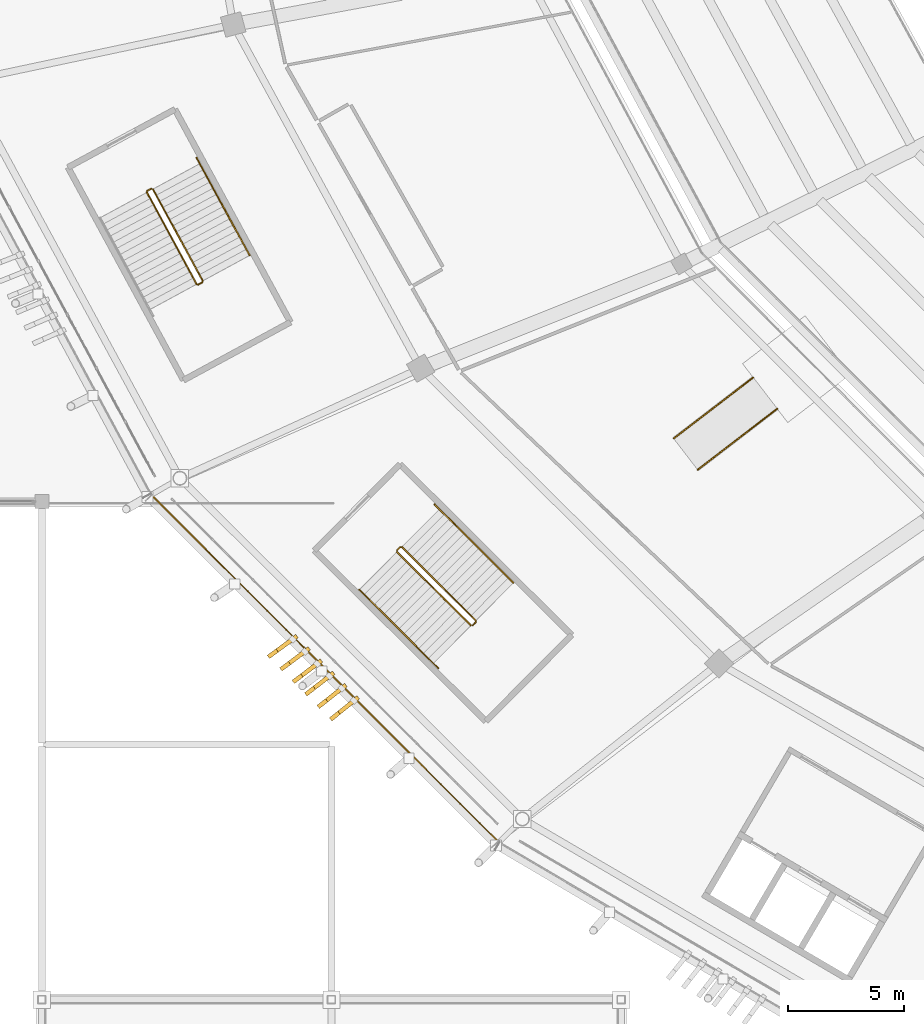
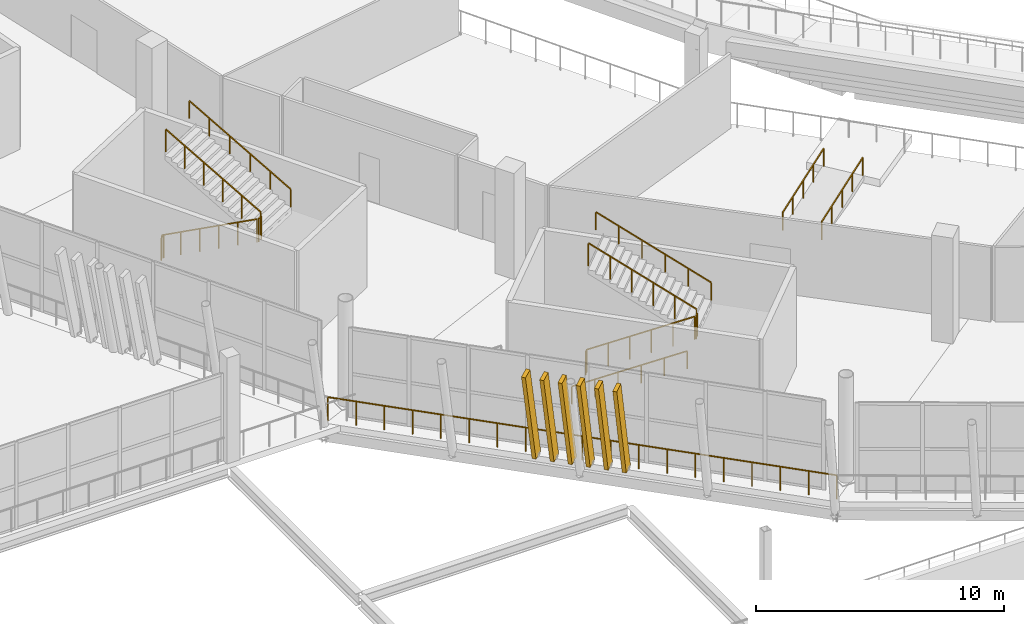
# One storey, part 145 of 178: 14 railings, 6 shading devices.
"""IFC4 building model written with IfcOpenShell, lengths in metres."""

import ifcopenshell
import ifcopenshell.guid

model = None  # the IFC model being written
_history = None  # IfcOwnerHistory: only IFC2X3 demands one
_inside = {}  # id of a spatial element -> (the spatial element, [elements in it])
_under = {}  # id of a project, library or spatial element -> (it, [spatial elements below it])
_declared = {}  # id of a project -> (the project, [libraries it declares])
_typed = {}  # id of a type object -> (the type object, [elements of that type])
_made_of = {}  # id of a material, layer set ... -> (it, [elements and type objects made of it])


def new_model(schema):
    """Start an empty IFC model of exactly this schema.

    Asked for "IFC4X3", IfcOpenShell would pick the latest addendum, in which some entities
    have other attributes; the version numbers below select the first issue.
    IFC2X3 requires an IfcOwnerHistory on every rooted entity: one is made here for all.
    """
    global model, _history
    if schema == "IFC4X3":
        model = ifcopenshell.file(schema_version=(4, 3, 0, 0))
    else:
        model = ifcopenshell.file(schema=schema)
    _inside.clear()
    _under.clear()
    _declared.clear()
    _typed.clear()
    _made_of.clear()
    _history = None
    if model.schema == "IFC2X3":
        org = make("IfcOrganization", Name="unknown")
        user = make(
            "IfcPersonAndOrganization",
            ThePerson=make("IfcPerson", FamilyName="unknown"),
            TheOrganization=org,
        )
        app = make(
            "IfcApplication",
            ApplicationDeveloper=org,
            Version="unknown",
            ApplicationFullName="unknown",
            ApplicationIdentifier="unknown",
        )
        _history = make(
            "IfcOwnerHistory",
            OwningUser=user,
            OwningApplication=app,
            ChangeAction="ADDED",
            CreationDate=0,
        )
    return model


def make(cls, **values):
    """One entity of the class cls with the attributes given. An attribute that is None is left unset."""
    return model.create_entity(
        cls, **{name: value for name, value in values.items() if value is not None}
    )


def rooted(cls, **values):
    """An entity with a GlobalId (a new one), such as an element, a storey or a relation."""
    return make(cls, GlobalId=ifcopenshell.guid.new(), OwnerHistory=_history, **values)


def si_unit(unit_type, name, prefix=None):
    """IfcSIUnit, for example si_unit("LENGTHUNIT", "METRE", prefix="MILLI")."""
    return make("IfcSIUnit", UnitType=unit_type, Prefix=prefix, Name=name)


def assignment(units):
    """IfcUnitAssignment: the units of a project."""
    return None if units is None else make("IfcUnitAssignment", Units=units)


def point(xyz):
    """IfcCartesianPoint."""
    return None if xyz is None else make("IfcCartesianPoint", Coordinates=xyz)


def direction(xyz):
    """IfcDirection."""
    return None if xyz is None else make("IfcDirection", DirectionRatios=xyz)


def frame(location, z_axis=None, x_axis=None):
    """IfcAxis2Placement3D, a coordinate frame: its origin and axes. An axis left out is left unset."""
    return make(
        "IfcAxis2Placement3D",
        Location=point(location),
        Axis=direction(z_axis),
        RefDirection=direction(x_axis),
    )


def frame_2d(location, x_axis=None):
    """IfcAxis2Placement2D, a coordinate frame in the plane: its origin and x axis."""
    return make(
        "IfcAxis2Placement2D", Location=point(location), RefDirection=direction(x_axis)
    )


def origin():
    """The frame at (0, 0, 0) with its axes left unset."""
    return frame((0.0, 0.0, 0.0))


def origin_2d():
    """The frame at (0, 0) in the plane with its x axis left unset."""
    return frame_2d((0.0, 0.0))


def place(relative_to, where):
    """IfcLocalPlacement: puts the frame where relative to a parent placement (None: the world)."""
    return make(
        "IfcLocalPlacement", PlacementRelTo=relative_to, RelativePlacement=where
    )


def context(
    kind, dimensions, precision=None, world=None, true_north=None, identifier=None
):
    """IfcGeometricRepresentationContext, for example the 3D "Model" context."""
    return make(
        "IfcGeometricRepresentationContext",
        ContextIdentifier=identifier,
        ContextType=kind,
        CoordinateSpaceDimension=dimensions,
        Precision=precision,
        WorldCoordinateSystem=world,
        TrueNorth=true_north,
    )


def subcontext(parent, identifier, kind, view, scale=None):
    """IfcGeometricRepresentationSubContext, for example "Body" below "Model"."""
    return make(
        "IfcGeometricRepresentationSubContext",
        ContextIdentifier=identifier,
        ContextType=kind,
        ParentContext=parent,
        TargetScale=scale,
        TargetView=view,
    )


def project(units=None, contexts=None):
    """IfcProject with its units and contexts."""
    return rooted(
        "IfcProject",
        Name="project",
        RepresentationContexts=contexts,
        UnitsInContext=assignment(units),
    )


def spatial(cls, under=None, at=None, **own):
    """A site, building, storey or space (cls), placed at a placement, below another one or the project."""
    s = rooted(cls, ObjectPlacement=at, **own)
    if under is not None:
        _under.setdefault(under.id(), (under, []))[1].append(s)
    return s


def profile(cls, at=None, kind="AREA", **sizes):
    """A parametric profile (cls). Its sizes go by their IFC names, for example OverallWidth=200.0."""
    return make(cls, ProfileType=kind, Position=at, **sizes)


def rectangle(**sizes):
    """IfcRectangleProfileDef."""
    return profile("IfcRectangleProfileDef", **sizes)


def extrude(swept, where, along, depth):
    """IfcExtrudedAreaSolid: the profile swept, set in the frame where, extruded along a direction by depth."""
    return make(
        "IfcExtrudedAreaSolid",
        SweptArea=swept,
        Position=where,
        ExtrudedDirection=direction(along),
        Depth=depth,
    )


def shape(context_of_items, identifier, shape_type, items):
    """IfcShapeRepresentation: the items that make up one representation, for example the "Body"."""
    return make(
        "IfcShapeRepresentation",
        ContextOfItems=context_of_items,
        RepresentationIdentifier=identifier,
        RepresentationType=shape_type,
        Items=items,
    )


def material(Name=None, Category=None):
    """IfcMaterial."""
    return make("IfcMaterial", Name=Name, Category=Category)


def material_profile(
    of_material, cross_section, Name=None, Category=None, Priority=None
):
    """IfcMaterialProfile: a cross section and its material."""
    return make(
        "IfcMaterialProfile",
        Name=Name,
        Material=of_material,
        Profile=cross_section,
        Priority=Priority,
        Category=Category,
    )


def profile_set(profiles, Name=None, composite=None):
    """IfcMaterialProfileSet."""
    return make(
        "IfcMaterialProfileSet",
        Name=Name,
        MaterialProfiles=profiles,
        CompositeProfile=composite,
    )


def made_of(thing, what):
    """Note that an element or type object is made of a material, layer set ...; save() writes the relation."""
    if what is not None:
        _made_of.setdefault(what.id(), (what, []))[1].append(thing)
    return thing


def type_object(cls, material=None, **own):
    """A type object (cls), such as IfcWallType, which elements share."""
    return made_of(rooted(cls, **own), material)


def element(
    cls,
    number,
    at=None,
    inside=None,
    cuts=None,
    type_object=None,
    material=None,
    context=None,
    identifier="Body",
    shape_type=None,
    held_by="IfcProductDefinitionShape",
    body=None,
    shapes=None,
    **own,
):
    """One element of the class cls, such as IfcWall. Its Tag is "e" and its number.

    at: its placement. inside: the storey or other place that contains it. cuts: it is an
    opening in that element (IfcRelVoidsElement). A single representation is given by context,
    identifier, shape_type and body (its items); several are given by shapes. held_by: the class
    of the entity that holds the representations. save() writes the other relations.
    """
    e = rooted(cls, Tag="e%d" % number, ObjectPlacement=at, **own)
    if body is not None:
        shapes = [shape(context, identifier, shape_type, body)]
    if shapes is not None:
        e.Representation = make(held_by, Representations=shapes)
    if inside is not None:
        _inside.setdefault(inside.id(), (inside, []))[1].append(e)
    if cuts is not None:
        rooted(
            "IfcRelVoidsElement", RelatingBuildingElement=cuts, RelatedOpeningElement=e
        )
    if type_object is not None:
        _typed.setdefault(type_object.id(), (type_object, []))[1].append(e)
    return made_of(e, material)


def aggregate(whole, parts):
    """IfcRelAggregates: a whole, such as a stair, and the parts it consists of."""
    return rooted("IfcRelAggregates", RelatingObject=whole, RelatedObjects=parts)


def save(model, path):
    """Write the relations noted so far, then the file.

    IfcRelAggregates (storeys below a building ...), IfcRelContainedInSpatialStructure (elements
    in a storey), IfcRelDefinesByType, IfcRelAssociatesMaterial and IfcRelDeclares: one each for
    every whole, place, type object, material and project.
    """
    for whole, parts in _under.values():
        aggregate(whole, parts)
    for where, things in _inside.values():
        rooted(
            "IfcRelContainedInSpatialStructure",
            RelatedElements=things,
            RelatingStructure=where,
        )
    for kind, things in _typed.values():
        rooted("IfcRelDefinesByType", RelatedObjects=things, RelatingType=kind)
    for what, things in _made_of.values():
        rooted("IfcRelAssociatesMaterial", RelatedObjects=things, RelatingMaterial=what)
    for by, libraries in _declared.values():
        rooted("IfcRelDeclares", RelatingContext=by, RelatedDefinitions=libraries)
    model.write(path)


model = new_model("IFC4")

# Units and contexts
model_context = context("Model", 3, precision=1e-05, world=origin(), true_north=direction((0.0, 1.0)))
body_context = subcontext(model_context, "Body", "Model", "MODEL_VIEW")
ifc_project = project(units=[si_unit("LENGTHUNIT", "METRE"), si_unit("AREAUNIT", "SQUARE_METRE"), si_unit("VOLUMEUNIT", "CUBIC_METRE"), si_unit("PLANEANGLEUNIT", "RADIAN"), si_unit("MASSUNIT", "GRAM", prefix="KILO")], contexts=[model_context])

# Site, building, storey
site_placement = place(None, origin())
site = spatial("IfcSite", under=ifc_project, at=site_placement, CompositionType="ELEMENT")
building_placement = place(site_placement, origin())
building = spatial("IfcBuilding", under=site, at=building_placement, Name="Zlatoyarsky Gate Stadium", CompositionType="ELEMENT")
storey_placement = place(building_placement, frame((0.0, 0.0, 5.39990234375)))
storey = spatial("IfcBuildingStorey", under=building, at=storey_placement, Name="L01", CompositionType="ELEMENT", Elevation=5.39990234375)

# Railings
ifc_material_1 = material(Name="Powder-coated steel tubular guardrail", Category="steel")
railing_type_1 = type_object("IfcRailingType", Name="CONCOURSE SLAB EDGE GUARDRAIL 1200", PredefinedType="GUARDRAIL", material=ifc_material_1)
railing_1_placement = place(storey_placement, frame((29.222412109375, 43.785888671875, 0.0)))
element("IfcRailing", 1, at=railing_1_placement, inside=storey, type_object=railing_type_1, Name="L01 outer slab edge guardrail 14", PredefinedType="GUARDRAIL", context=body_context, shape_type="SweptSolid", body=[
    extrude(rectangle(XDim=0.048095703125, YDim=0.048095703125, at=origin_2d()), frame((0.0, 0.0, 1.17578125), z_axis=(0.707250593855, -0.706962939263, 0.0), x_axis=(0.706962939263, 0.707250593855, 0.0)), (0.0, 0.0, 1.0), 21.21826171875),
    extrude(rectangle(XDim=0.0419921875, YDim=0.0419921875, at=origin_2d()), origin(), (0.0, 0.0, 1.0), 1.15185546875),
    extrude(rectangle(XDim=0.0419921875, YDim=0.0419921875, at=origin_2d()), frame((0.833740234375, -0.833251953125, 0.0)), (0.0, 0.0, 1.0), 1.15185546875),
    extrude(rectangle(XDim=0.0419921875, YDim=0.0419921875, at=origin_2d()), frame((1.66748046875, -1.666748046875, 0.0)), (0.0, 0.0, 1.0), 1.15185546875),
    extrude(rectangle(XDim=0.0419921875, YDim=0.0419921875, at=origin_2d()), frame((2.5009765625, -2.5, 0.0)), (0.0, 0.0, 1.0), 1.15185546875),
    extrude(rectangle(XDim=0.0419921875, YDim=0.0419921875, at=origin_2d()), frame((3.334716796875, -3.33349609375, 0.0)), (0.0, 0.0, 1.0), 1.15185546875),
    extrude(rectangle(XDim=0.0419921875, YDim=0.0419921875, at=origin_2d()), frame((4.16845703125, -4.166748046875, 0.0)), (0.0, 0.0, 1.0), 1.15185546875),
    extrude(rectangle(XDim=0.0419921875, YDim=0.0419921875, at=origin_2d()), frame((5.002197265625, -5.000244140625, 0.0)), (0.0, 0.0, 1.0), 1.15185546875),
    extrude(rectangle(XDim=0.0419921875, YDim=0.0419921875, at=origin_2d()), frame((5.8359375, -5.83349609375, 0.0)), (0.0, 0.0, 1.0), 1.15185546875),
    extrude(rectangle(XDim=0.0419921875, YDim=0.0419921875, at=origin_2d()), frame((6.669677734375, -6.6669921875, 0.0)), (0.0, 0.0, 1.0), 1.15185546875),
    extrude(rectangle(XDim=0.0419921875, YDim=0.0419921875, at=origin_2d()), frame((7.50341796875, -7.500244140625, 0.0)), (0.0, 0.0, 1.0), 1.15185546875),
    extrude(rectangle(XDim=0.0419921875, YDim=0.0419921875, at=origin_2d()), frame((8.3369140625, -8.33349609375, 0.0)), (0.0, 0.0, 1.0), 1.15185546875),
    extrude(rectangle(XDim=0.0419921875, YDim=0.0419921875, at=origin_2d()), frame((9.170654296875, -9.1669921875, 0.0)), (0.0, 0.0, 1.0), 1.15185546875),
    extrude(rectangle(XDim=0.0419921875, YDim=0.0419921875, at=origin_2d()), frame((10.00439453125, -10.000244140625, 0.0)), (0.0, 0.0, 1.0), 1.15185546875),
    extrude(rectangle(XDim=0.0419921875, YDim=0.0419921875, at=origin_2d()), frame((10.838134765625, -10.833740234375, 0.0)), (0.0, 0.0, 1.0), 1.15185546875),
    extrude(rectangle(XDim=0.0419921875, YDim=0.0419921875, at=origin_2d()), frame((11.671875, -11.6669921875, 0.0)), (0.0, 0.0, 1.0), 1.15185546875),
    extrude(rectangle(XDim=0.0419921875, YDim=0.0419921875, at=origin_2d()), frame((12.50537109375, -12.50048828125, 0.0)), (0.0, 0.0, 1.0), 1.15185546875),
    extrude(rectangle(XDim=0.0419921875, YDim=0.0419921875, at=origin_2d()), frame((13.339111328125, -13.333740234375, 0.0)), (0.0, 0.0, 1.0), 1.15185546875),
    extrude(rectangle(XDim=0.0419921875, YDim=0.0419921875, at=origin_2d()), frame((14.1728515625, -14.167236328125, 0.0)), (0.0, 0.0, 1.0), 1.15185546875),
    extrude(rectangle(XDim=0.0419921875, YDim=0.0419921875, at=origin_2d()), frame((15.006591796875, -15.00048828125, 0.0)), (0.0, 0.0, 1.0), 1.15185546875),
])
ifc_material_2 = material(Name="Powder-coated steel stair guardrail", Category="steel")
railing_type_2 = type_object("IfcRailingType", Name="PAINTED STEEL STAIR WELL GUARDRAIL 1150", PredefinedType="GUARDRAIL", material=ifc_material_2)
railing_2_placement = place(storey_placement, frame((39.829345703125, 41.318603515625, 0.16259765625)))
element("IfcRailing", 2, at=railing_2_placement, inside=storey, type_object=railing_type_2, Name="ST-08 L01 stair guard 1", PredefinedType="GUARDRAIL", context=body_context, shape_type="SweptSolid", body=[
    extrude(rectangle(XDim=0.048095703125, YDim=0.048095703125, at=origin_2d()), frame((0.0, 0.0, 1.1259765625), z_axis=(0.623321812894, -0.620173241055, 0.47629304913), x_axis=(0.705314101777, 0.708894927217, 0.0)), (0.0, 0.0, 1.0), 5.11767578125),
    extrude(rectangle(XDim=0.0419921875, YDim=0.0419921875, at=origin_2d()), origin(), (0.0, 0.0, 1.0), 1.101806640625),
    extrude(rectangle(XDim=0.0419921875, YDim=0.0419921875, at=origin_2d()), frame((0.637939453125, -0.634765625, 0.487548828125)), (0.0, 0.0, 1.0), 1.101806640625),
    extrude(rectangle(XDim=0.0419921875, YDim=0.0419921875, at=origin_2d()), frame((1.27587890625, -1.26953125, 0.97509765625)), (0.0, 0.0, 1.0), 1.101806640625),
    extrude(rectangle(XDim=0.0419921875, YDim=0.0419921875, at=origin_2d()), frame((1.9140625, -1.904296875, 1.46240234375)), (0.0, 0.0, 1.0), 1.101806640625),
    extrude(rectangle(XDim=0.0419921875, YDim=0.0419921875, at=origin_2d()), frame((2.552001953125, -2.5390625, 1.949951171875)), (0.0, 0.0, 1.0), 1.101806640625),
    extrude(rectangle(XDim=0.0419921875, YDim=0.0419921875, at=origin_2d()), frame((3.18994140625, -3.173828125, 2.4375)), (0.0, 0.0, 1.0), 1.101806640625),
])
railing_3_placement = place(storey_placement, frame((43.090087890625, 38.14501953125, 2.60009765625)))
element("IfcRailing", 3, at=railing_3_placement, inside=storey, type_object=railing_type_2, Name="ST-08 L01 stair guard 2", PredefinedType="GUARDRAIL", context=body_context, shape_type="SweptSolid", body=[
    extrude(rectangle(XDim=0.048095703125, YDim=0.048095703125, at=origin_2d()), frame((0.0, 0.0, 1.1259765625), z_axis=(0.705884473151, 0.708326979978, 0.0), x_axis=(-0.708326979978, 0.705884473151, 0.0)), (0.0, 0.0, 1.0), 0.199951171875),
    extrude(rectangle(XDim=0.0419921875, YDim=0.0419921875, at=origin_2d()), origin(), (0.0, 0.0, 1.0), 1.101806640625),
    extrude(rectangle(XDim=0.0419921875, YDim=0.0419921875, at=origin_2d()), frame((0.14111328125, 0.1416015625, 0.0)), (0.0, 0.0, 1.0), 1.101806640625),
])
railing_4_placement = place(storey_placement, frame((43.23095703125, 38.357421875, 2.7626953125)))
element("IfcRailing", 4, at=railing_4_placement, inside=storey, type_object=railing_type_2, Name="ST-08 L01 stair guard 3", PredefinedType="GUARDRAIL", context=body_context, shape_type="SweptSolid", body=[
    extrude(rectangle(XDim=0.048095703125, YDim=0.048095703125, at=origin_2d()), frame((0.0, 0.0, 1.1259765625), z_axis=(-0.623350982153, 0.620154799724, 0.476278886188), x_axis=(-0.705286975187, -0.708921915751, 0.0)), (0.0, 0.0, 1.0), 5.117919921875),
    extrude(rectangle(XDim=0.0419921875, YDim=0.0419921875, at=origin_2d()), origin(), (0.0, 0.0, 1.0), 1.101806640625),
    extrude(rectangle(XDim=0.0419921875, YDim=0.0419921875, at=origin_2d()), frame((-0.637939453125, 0.634765625, 0.487548828125)), (0.0, 0.0, 1.0), 1.101806640625),
    extrude(rectangle(XDim=0.0419921875, YDim=0.0419921875, at=origin_2d()), frame((-1.276123046875, 1.26953125, 0.97509765625)), (0.0, 0.0, 1.0), 1.101806640625),
    extrude(rectangle(XDim=0.0419921875, YDim=0.0419921875, at=origin_2d()), frame((-1.9140625, 1.904296875, 1.46240234375)), (0.0, 0.0, 1.0), 1.101806640625),
    extrude(rectangle(XDim=0.0419921875, YDim=0.0419921875, at=origin_2d()), frame((-2.55224609375, 2.5390625, 1.949951171875)), (0.0, 0.0, 1.0), 1.101806640625),
    extrude(rectangle(XDim=0.0419921875, YDim=0.0419921875, at=origin_2d()), frame((-3.190185546875, 3.173828125, 2.4375)), (0.0, 0.0, 1.0), 1.101806640625),
])
railing_5_placement = place(storey_placement, frame((39.8291015625, 41.389404296875, 0.0)))
element("IfcRailing", 5, at=railing_5_placement, inside=storey, type_object=railing_type_2, Name="ST-08 L01 stair guard 4", PredefinedType="GUARDRAIL", context=body_context, shape_type="SweptSolid", body=[
    extrude(rectangle(XDim=0.048095703125, YDim=0.048095703125, at=origin_2d()), frame((0.0, 0.0, 1.1259765625), z_axis=(0.705884473151, 0.708326979978, 0.0), x_axis=(-0.708326979978, 0.705884473151, 0.0)), (0.0, 0.0, 1.0), 0.199951171875),
    extrude(rectangle(XDim=0.0419921875, YDim=0.0419921875, at=origin_2d()), origin(), (0.0, 0.0, 1.0), 1.101806640625),
    extrude(rectangle(XDim=0.0419921875, YDim=0.0419921875, at=origin_2d()), frame((0.14111328125, 0.1416015625, 0.0)), (0.0, 0.0, 1.0), 1.101806640625),
])
railing_6_placement = place(storey_placement, frame((29.03515625, 56.83349609375, 0.16259765625)))
element("IfcRailing", 6, at=railing_6_placement, inside=storey, type_object=railing_type_2, Name="ST-15 L01 stair guard 1", PredefinedType="GUARDRAIL", context=body_context, shape_type="SweptSolid", body=[
    extrude(rectangle(XDim=0.048095703125, YDim=0.048095703125, at=origin_2d()), frame((0.0, 0.0, 1.1259765625), z_axis=(0.419324818617, -0.772864776611, 0.476284299098), x_axis=(0.878963249763, 0.476889510858, 0.0)), (0.0, 0.0, 1.0), 5.11767578125),
    extrude(rectangle(XDim=0.0419921875, YDim=0.0419921875, at=origin_2d()), origin(), (0.0, 0.0, 1.0), 1.101806640625),
    extrude(rectangle(XDim=0.0419921875, YDim=0.0419921875, at=origin_2d()), frame((0.42919921875, -0.791015625, 0.487548828125)), (0.0, 0.0, 1.0), 1.101806640625),
    extrude(rectangle(XDim=0.0419921875, YDim=0.0419921875, at=origin_2d()), frame((0.8583984375, -1.58203125, 0.97509765625)), (0.0, 0.0, 1.0), 1.101806640625),
    extrude(rectangle(XDim=0.0419921875, YDim=0.0419921875, at=origin_2d()), frame((1.28759765625, -2.373291015625, 1.46240234375)), (0.0, 0.0, 1.0), 1.101806640625),
    extrude(rectangle(XDim=0.0419921875, YDim=0.0419921875, at=origin_2d()), frame((1.716796875, -3.164306640625, 1.949951171875)), (0.0, 0.0, 1.0), 1.101806640625),
    extrude(rectangle(XDim=0.0419921875, YDim=0.0419921875, at=origin_2d()), frame((2.14599609375, -3.955322265625, 2.4375)), (0.0, 0.0, 1.0), 1.101806640625),
])
railing_7_placement = place(storey_placement, frame((31.2490234375, 52.85791015625, 2.60009765625)))
element("IfcRailing", 7, at=railing_7_placement, inside=storey, type_object=railing_type_2, Name="ST-15 L01 stair guard 2", PredefinedType="GUARDRAIL", context=body_context, shape_type="SweptSolid", body=[
    extrude(rectangle(XDim=0.048095703125, YDim=0.048095703125, at=origin_2d()), frame((0.0, 0.0, 1.1259765625), z_axis=(0.878780312785, 0.477226530971, 0.0), x_axis=(-0.477226530971, 0.878780312785, 0.0)), (0.0, 0.0, 1.0), 0.199951171875),
    extrude(rectangle(XDim=0.0419921875, YDim=0.0419921875, at=origin_2d()), origin(), (0.0, 0.0, 1.0), 1.101806640625),
    extrude(rectangle(XDim=0.0419921875, YDim=0.0419921875, at=origin_2d()), frame((0.17578125, 0.095458984375, 0.0)), (0.0, 0.0, 1.0), 1.101806640625),
])
railing_8_placement = place(storey_placement, frame((31.44482421875, 53.021240234375, 2.7626953125)))
element("IfcRailing", 8, at=railing_8_placement, inside=storey, type_object=railing_type_2, Name="ST-15 L01 stair guard 3", PredefinedType="GUARDRAIL", context=body_context, shape_type="SweptSolid", body=[
    extrude(rectangle(XDim=0.048095703125, YDim=0.048095703125, at=origin_2d()), frame((0.0, 0.0, 1.1259765625), z_axis=(-0.419324818617, 0.772864776611, 0.476284299098), x_axis=(-0.878963249763, -0.476889510858, 0.0)), (0.0, 0.0, 1.0), 5.11767578125),
    extrude(rectangle(XDim=0.0419921875, YDim=0.0419921875, at=origin_2d()), origin(), (0.0, 0.0, 1.0), 1.101806640625),
    extrude(rectangle(XDim=0.0419921875, YDim=0.0419921875, at=origin_2d()), frame((-0.42919921875, 0.791015625, 0.487548828125)), (0.0, 0.0, 1.0), 1.101806640625),
    extrude(rectangle(XDim=0.0419921875, YDim=0.0419921875, at=origin_2d()), frame((-0.8583984375, 1.58203125, 0.97509765625)), (0.0, 0.0, 1.0), 1.101806640625),
    extrude(rectangle(XDim=0.0419921875, YDim=0.0419921875, at=origin_2d()), frame((-1.28759765625, 2.373291015625, 1.46240234375)), (0.0, 0.0, 1.0), 1.101806640625),
    extrude(rectangle(XDim=0.0419921875, YDim=0.0419921875, at=origin_2d()), frame((-1.716796875, 3.164306640625, 1.949951171875)), (0.0, 0.0, 1.0), 1.101806640625),
    extrude(rectangle(XDim=0.0419921875, YDim=0.0419921875, at=origin_2d()), frame((-2.14599609375, 3.955322265625, 2.4375)), (0.0, 0.0, 1.0), 1.101806640625),
])
railing_9_placement = place(storey_placement, frame((29.05517578125, 56.901123046875, 0.0)))
element("IfcRailing", 9, at=railing_9_placement, inside=storey, type_object=railing_type_2, Name="ST-15 L01 stair guard 4", PredefinedType="GUARDRAIL", context=body_context, shape_type="SweptSolid", body=[
    extrude(rectangle(XDim=0.048095703125, YDim=0.048095703125, at=origin_2d()), frame((0.0, 0.0, 1.1259765625), z_axis=(0.878780312785, 0.477226530971, 0.0), x_axis=(-0.477226530971, 0.878780312785, 0.0)), (0.0, 0.0, 1.0), 0.199951171875),
    extrude(rectangle(XDim=0.0419921875, YDim=0.0419921875, at=origin_2d()), origin(), (0.0, 0.0, 1.0), 1.101806640625),
    extrude(rectangle(XDim=0.0419921875, YDim=0.0419921875, at=origin_2d()), frame((0.17578125, 0.095458984375, 0.0)), (0.0, 0.0, 1.0), 1.101806640625),
])

# Shading devices
ifc_material_3 = material(Name="Precast concrete C40/50 stone-toned architectural rib", Category="masonry")
ifc_material_profile = material_profile(ifc_material_3, rectangle(XDim=0.179931640625, YDim=0.47998046875, at=origin_2d()), Name="RIB 180X480")
ifc_profile_set = profile_set([ifc_material_profile], Name="Precast concrete C40/50 stone-toned architectural rib")
shading_device_type = type_object("IfcShadingDeviceType", Name="PRECAST RIBBED BOWL LOUVRE FIN 180X480", PredefinedType="JALOUSIE", material=ifc_profile_set)
for number, where, z_axis, x_axis, name in (
    (10, (35.3212890625, 37.551025390625, -0.010009765625), (-0.178079030988, -0.130201211514, 0.975364292581), (0.590213184803, -0.807247419621, 0.0), "Leaning bowl louvre fin L01-14-1"),
    (11, (35.8515625, 37.020751953125, -0.010009765625), (-0.176858518322, -0.131829810406, 0.97536760536), (0.59763544479, -0.801767968387, 0.0), "Leaning bowl louvre fin L01-14-2"),
    (12, (36.3818359375, 36.490478515625, -0.010009765625), (-0.175587958916, -0.133459060051, 0.975375593284), (0.605118362846, -0.796135520465, 0.0), "Leaning bowl louvre fin L01-14-3"),
    (13, (36.912353515625, 35.9599609375, -0.010009765625), (-0.17436716658, -0.135036609309, 0.975377468145), (0.61229416772, -0.790630034957, 0.0), "Leaning bowl louvre fin L01-14-4"),
    (14, (37.442626953125, 35.4296875, -0.010009765625), (-0.173093917752, -0.136714684597, 0.975370488918), (0.619816293776, -0.784746941357, 0.0), "Leaning bowl louvre fin L01-14-5"),
    (15, (37.972900390625, 34.8994140625, -0.010009765625), (-0.171870511469, -0.138341006715, 0.975357520681), (0.627026471809, -0.778997948426, 0.0), "Leaning bowl louvre fin L01-14-6"),
):
    element("IfcShadingDevice", number, at=place(storey_placement, frame(where, z_axis=z_axis, x_axis=x_axis)), inside=storey, type_object=shading_device_type, Name=name, PredefinedType="JALOUSIE", context=body_context, shape_type="SweptSolid", body=[
        extrude(rectangle(XDim=0.179931640625, YDim=0.47998046875, at=origin_2d()), origin(), (0.0, 0.0, 1.0), 4.79833984375),
    ])

# Railings
ifc_material_4 = material(Name="Brushed stainless steel 316 handrail", Category="steel")
railing_type_3 = type_object("IfcRailingType", Name="STAINLESS STEEL TUBULAR HANDRAIL 900", PredefinedType="HANDRAIL", material=ifc_material_4)
railing_10_placement = place(storey_placement, frame((38.20703125, 39.688232421875, 0.16650390625)))
element("IfcRailing", 16, at=railing_10_placement, inside=storey, type_object=railing_type_3, Name="ST-08 L01 stair handrail 1", PredefinedType="HANDRAIL", context=body_context, shape_type="SweptSolid", body=[
    extrude(rectangle(XDim=0.048095703125, YDim=0.048095703125, at=origin_2d()), frame((0.0, 0.0, 0.8759765625), z_axis=(0.623336262297, -0.620160995069, 0.476290084192), x_axis=(0.705298886343, 0.708910065469, 0.0)), (0.0, 0.0, 1.0), 5.458984375),
    extrude(rectangle(XDim=0.0419921875, YDim=0.0419921875, at=origin_2d()), origin(), (0.0, 0.0, 1.0), 0.851806640625),
    extrude(rectangle(XDim=0.0419921875, YDim=0.0419921875, at=origin_2d()), frame((0.6806640625, -0.677001953125, 0.52001953125)), (0.0, 0.0, 1.0), 0.851806640625),
    extrude(rectangle(XDim=0.0419921875, YDim=0.0419921875, at=origin_2d()), frame((1.361083984375, -1.354248046875, 1.0400390625)), (0.0, 0.0, 1.0), 0.851806640625),
    extrude(rectangle(XDim=0.0419921875, YDim=0.0419921875, at=origin_2d()), frame((2.041748046875, -2.03125, 1.56005859375)), (0.0, 0.0, 1.0), 0.851806640625),
    extrude(rectangle(XDim=0.0419921875, YDim=0.0419921875, at=origin_2d()), frame((2.72216796875, -2.70849609375, 2.080078125)), (0.0, 0.0, 1.0), 0.851806640625),
    extrude(rectangle(XDim=0.0419921875, YDim=0.0419921875, at=origin_2d()), frame((3.40283203125, -3.385498046875, 2.60009765625)), (0.0, 0.0, 1.0), 0.851806640625),
])
railing_11_placement = place(storey_placement, frame((44.85302734375, 39.98779296875, 2.7666015625)))
element("IfcRailing", 17, at=railing_11_placement, inside=storey, type_object=railing_type_3, Name="ST-08 L01 stair handrail 2", PredefinedType="HANDRAIL", context=body_context, shape_type="SweptSolid", body=[
    extrude(rectangle(XDim=0.048095703125, YDim=0.048095703125, at=origin_2d()), frame((0.0, 0.0, 0.8759765625), z_axis=(-0.623308915757, 0.620178283332, 0.476303361757), x_axis=(-0.705324317314, -0.708884763136, 0.0)), (0.0, 0.0, 1.0), 5.458984375),
    extrude(rectangle(XDim=0.0419921875, YDim=0.0419921875, at=origin_2d()), origin(), (0.0, 0.0, 1.0), 0.851806640625),
    extrude(rectangle(XDim=0.0419921875, YDim=0.0419921875, at=origin_2d()), frame((-0.680419921875, 0.677001953125, 0.52001953125)), (0.0, 0.0, 1.0), 0.851806640625),
    extrude(rectangle(XDim=0.0419921875, YDim=0.0419921875, at=origin_2d()), frame((-1.361083984375, 1.354248046875, 1.0400390625)), (0.0, 0.0, 1.0), 0.851806640625),
    extrude(rectangle(XDim=0.0419921875, YDim=0.0419921875, at=origin_2d()), frame((-2.04150390625, 2.03125, 1.56005859375)), (0.0, 0.0, 1.0), 0.851806640625),
    extrude(rectangle(XDim=0.0419921875, YDim=0.0419921875, at=origin_2d()), frame((-2.72216796875, 2.70849609375, 2.080078125)), (0.0, 0.0, 1.0), 0.851806640625),
    extrude(rectangle(XDim=0.0419921875, YDim=0.0419921875, at=origin_2d()), frame((-3.402587890625, 3.385498046875, 2.60009765625)), (0.0, 0.0, 1.0), 0.851806640625),
])
railing_12_placement = place(storey_placement, frame((33.466552734375, 54.117919921875, 2.7666015625)))
element("IfcRailing", 18, at=railing_12_placement, inside=storey, type_object=railing_type_3, Name="ST-15 L01 stair handrail 2", PredefinedType="HANDRAIL", context=body_context, shape_type="SweptSolid", body=[
    extrude(rectangle(XDim=0.048095703125, YDim=0.048095703125, at=origin_2d()), frame((0.0, 0.0, 0.8759765625), z_axis=(-0.419307718725, 0.772874999468, 0.476282764977), x_axis=(-0.878974045326, -0.476869612833, 0.0)), (0.0, 0.0, 1.0), 5.459228515625),
    extrude(rectangle(XDim=0.0419921875, YDim=0.0419921875, at=origin_2d()), origin(), (0.0, 0.0, 1.0), 0.851806640625),
    extrude(rectangle(XDim=0.0419921875, YDim=0.0419921875, at=origin_2d()), frame((-0.457763671875, 0.84375, 0.52001953125)), (0.0, 0.0, 1.0), 0.851806640625),
    extrude(rectangle(XDim=0.0419921875, YDim=0.0419921875, at=origin_2d()), frame((-0.91552734375, 1.687744140625, 1.0400390625)), (0.0, 0.0, 1.0), 0.851806640625),
    extrude(rectangle(XDim=0.0419921875, YDim=0.0419921875, at=origin_2d()), frame((-1.37353515625, 2.531494140625, 1.56005859375)), (0.0, 0.0, 1.0), 0.851806640625),
    extrude(rectangle(XDim=0.0419921875, YDim=0.0419921875, at=origin_2d()), frame((-1.831298828125, 3.37548828125, 2.080078125)), (0.0, 0.0, 1.0), 0.851806640625),
    extrude(rectangle(XDim=0.0419921875, YDim=0.0419921875, at=origin_2d()), frame((-2.2890625, 4.21923828125, 2.60009765625)), (0.0, 0.0, 1.0), 0.851806640625),
])
railing_13_placement = place(storey_placement, frame((51.774658203125, 46.218505859375, 0.0)))
element("IfcRailing", 19, at=railing_13_placement, inside=storey, type_object=railing_type_3, Name="AR-03 accessible ramp handrail L", PredefinedType="HANDRAIL", context=body_context, shape_type="SweptSolid", body=[
    extrude(rectangle(XDim=0.048095703125, YDim=0.048095703125, at=origin_2d()), frame((0.0, 0.0, 0.8759765625), z_axis=(0.790631102804, 0.606631116135, 0.083073149782), x_axis=(-0.608735238688, 0.793373436144, 0.0)), (0.0, 0.0, 1.0), 4.334716796875),
    extrude(rectangle(XDim=0.0419921875, YDim=0.0419921875, at=origin_2d()), origin(), (0.0, 0.0, 1.0), 0.851806640625),
    extrude(rectangle(XDim=0.0419921875, YDim=0.0419921875, at=origin_2d()), frame((0.85693359375, 0.657470703125, 0.090087890625)), (0.0, 0.0, 1.0), 0.851806640625),
    extrude(rectangle(XDim=0.0419921875, YDim=0.0419921875, at=origin_2d()), frame((1.713623046875, 1.31494140625, 0.18017578125)), (0.0, 0.0, 1.0), 0.851806640625),
    extrude(rectangle(XDim=0.0419921875, YDim=0.0419921875, at=origin_2d()), frame((2.5703125, 1.97216796875, 0.27001953125)), (0.0, 0.0, 1.0), 0.851806640625),
    extrude(rectangle(XDim=0.0419921875, YDim=0.0419921875, at=origin_2d()), frame((3.42724609375, 2.629638671875, 0.360107421875)), (0.0, 0.0, 1.0), 0.851806640625),
])
railing_14_placement = place(storey_placement, frame((52.809326171875, 44.86962890625, 0.0)))
element("IfcRailing", 20, at=railing_14_placement, inside=storey, type_object=railing_type_3, Name="AR-03 accessible ramp handrail R", PredefinedType="HANDRAIL", context=body_context, shape_type="SweptSolid", body=[
    extrude(rectangle(XDim=0.048095703125, YDim=0.048095703125, at=origin_2d()), frame((0.0, 0.0, 0.8759765625), z_axis=(0.790625205355, 0.60663969742, 0.083066612857), x_axis=(-0.60874351688, 0.79336708443, 0.0)), (0.0, 0.0, 1.0), 4.335205078125),
    extrude(rectangle(XDim=0.0419921875, YDim=0.0419921875, at=origin_2d()), origin(), (0.0, 0.0, 1.0), 0.851806640625),
    extrude(rectangle(XDim=0.0419921875, YDim=0.0419921875, at=origin_2d()), frame((0.85693359375, 0.657470703125, 0.090087890625)), (0.0, 0.0, 1.0), 0.851806640625),
    extrude(rectangle(XDim=0.0419921875, YDim=0.0419921875, at=origin_2d()), frame((1.7138671875, 1.31494140625, 0.18017578125)), (0.0, 0.0, 1.0), 0.851806640625),
    extrude(rectangle(XDim=0.0419921875, YDim=0.0419921875, at=origin_2d()), frame((2.570556640625, 1.972412109375, 0.27001953125)), (0.0, 0.0, 1.0), 0.851806640625),
    extrude(rectangle(XDim=0.0419921875, YDim=0.0419921875, at=origin_2d()), frame((3.427490234375, 2.6298828125, 0.360107421875)), (0.0, 0.0, 1.0), 0.851806640625),
])

save(model, "model.ifc")
